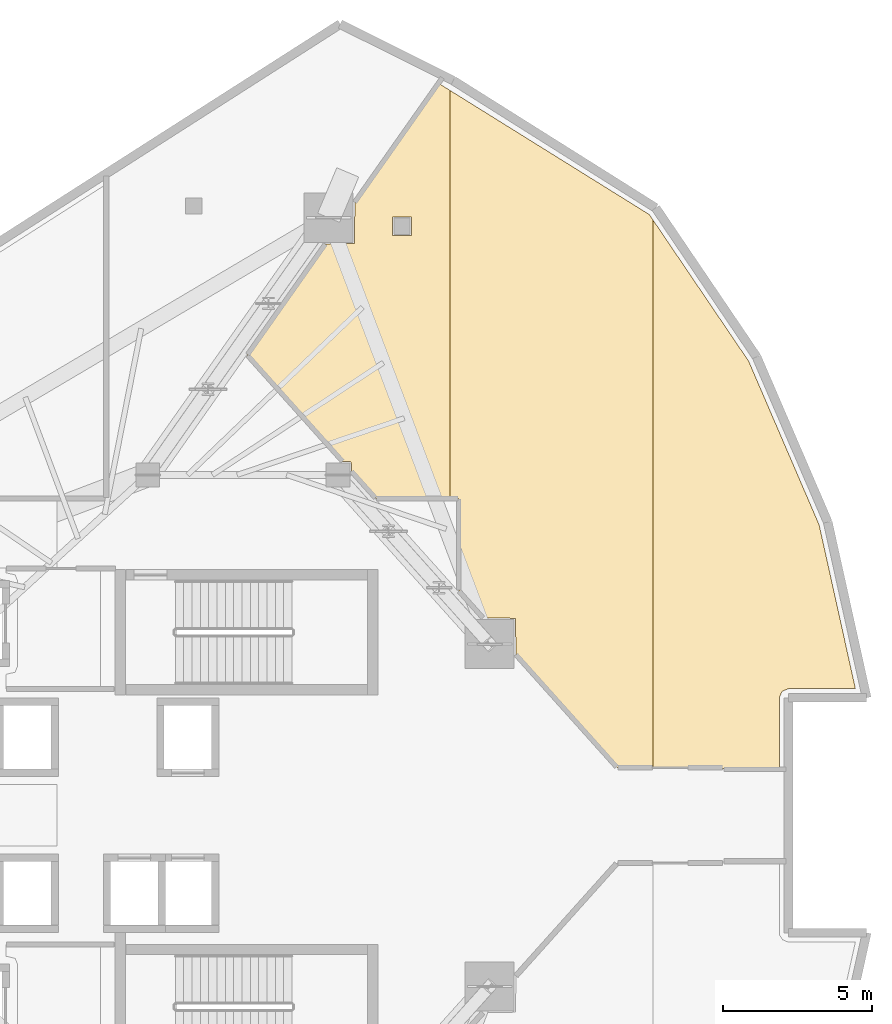
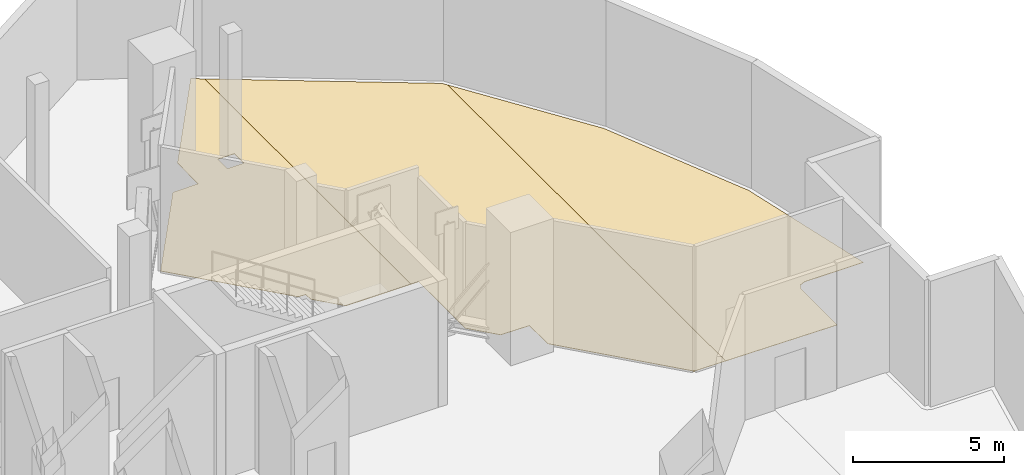
# One storey, part 9 of 9: 3 coverings.
"""IFC4 building model written with IfcOpenShell, lengths in metres."""

from ifc_helpers import new_model, si_unit, direction, frame, origin, place, context, subcontext, project, spatial, polyline, outline, extrude, material, layer, layer_set, type_object, element, save


model = new_model("IFC4")

# Units and contexts
model_context = context("Model", 3, precision=1e-05, world=origin(), true_north=direction((0.0, 1.0)))
body_context = subcontext(model_context, "Body", "Model", "MODEL_VIEW")
ifc_project = project(units=[si_unit("LENGTHUNIT", "METRE"), si_unit("AREAUNIT", "SQUARE_METRE"), si_unit("VOLUMEUNIT", "CUBIC_METRE"), si_unit("PLANEANGLEUNIT", "RADIAN"), si_unit("MASSUNIT", "GRAM", prefix="KILO")], contexts=[model_context])

# Site, building, storey
site_placement = place(None, origin())
site = spatial("IfcSite", under=ifc_project, at=site_placement, CompositionType="ELEMENT")
building_placement = place(site_placement, origin())
building = spatial("IfcBuilding", under=site, at=building_placement, Name="Qorvath Tower", CompositionType="ELEMENT")
storey_placement = place(building_placement, frame((0.0, 0.0, 249.60009765625)))
storey = spatial("IfcBuildingStorey", under=building, at=storey_placement, Name="L58", CompositionType="ELEMENT", Elevation=249.60009765625)

# Coverings
ifc_material = material(Name="Low-VOC modular carpet tile", Category="textile")
ifc_layer = layer(ifc_material, 0.014892578125)
ifc_layer_set = layer_set([ifc_layer], Name="COV-FLOOR-CPT")
covering_type = type_object("IfcCoveringType", Name="COV-FLOOR-CPT", PredefinedType="FLOORING", material=ifc_layer_set)
covering_1_placement = place(storey_placement, origin())
element("IfcCovering", 1, at=covering_1_placement, inside=storey, type_object=covering_type, Name="L58 Floor Finish 009", PredefinedType="FLOORING", context=body_context, shape_type="SweptSolid", body=[
    extrude(outline(polyline([(-13.42724609375, 10.66162109375), (-13.42724609375, 24.382568359375), (-13.81494140625, 24.6240234375), (-16.630615234375, 20.62109375), (-16.648193359375, 19.234130859375), (-17.6181640625, 19.216552734375), (-20.244384765625, 15.482421875), (-17.04150390625, 11.909912109375), (-16.757568359375, 11.892333984375), (-16.739990234375, 11.573486328125), (-15.923583984375, 10.6630859375), (-13.42724609375, 10.66162109375)]), holes=[polyline([(-15.363525390625, 19.500732421875), (-15.363525390625, 20.135498046875), (-14.728759765625, 20.135498046875), (-14.728759765625, 19.500732421875), (-15.363525390625, 19.500732421875)])]), origin(), (0.0, 0.0, 1.0), 0.014892578125),
])
covering_2_placement = place(storey_placement, origin())
element("IfcCovering", 2, at=covering_2_placement, inside=storey, type_object=covering_type, Name="L58 Floor Finish 010", PredefinedType="FLOORING", context=body_context, shape_type="SweptSolid", body=[
    extrude(outline(polyline([(-6.610107421875, 1.600341796875), (-6.610107421875, 20.038330078125), (-6.726318359375, 20.209716796875), (-13.42724609375, 24.382568359375), (-13.42724609375, 10.66162109375), (-13.138427734375, 10.66162109375), (-13.136962890625, 7.5546875), (-12.3193359375, 6.642822265625), (-11.2294921875, 6.625244140625), (-11.2119140625, 5.407470703125), (-7.809814453125, 1.613037109375), (-6.610107421875, 1.600341796875)])), origin(), (0.0, 0.0, 1.0), 0.014892578125),
])
covering_3_placement = place(storey_placement, origin())
element("IfcCovering", 3, at=covering_3_placement, inside=storey, type_object=covering_type, Name="L58 Floor Finish 011", PredefinedType="FLOORING", context=body_context, shape_type="SweptSolid", body=[
    extrude(outline(polyline([(0.20703125, 4.2578125), (-1.0126953125, 9.768798828125), (-3.3837890625, 15.275146484375), (-6.610107421875, 20.038330078125), (-6.610107421875, 1.600341796875), (-2.353515625, 1.554931640625), (-2.353515625, 3.952880859375), (-2.26513671875, 4.166748046875), (-2.04833984375, 4.2578125), (0.20703125, 4.2578125)])), origin(), (0.0, 0.0, 1.0), 0.014892578125),
])

save(model, "model.ifc")
